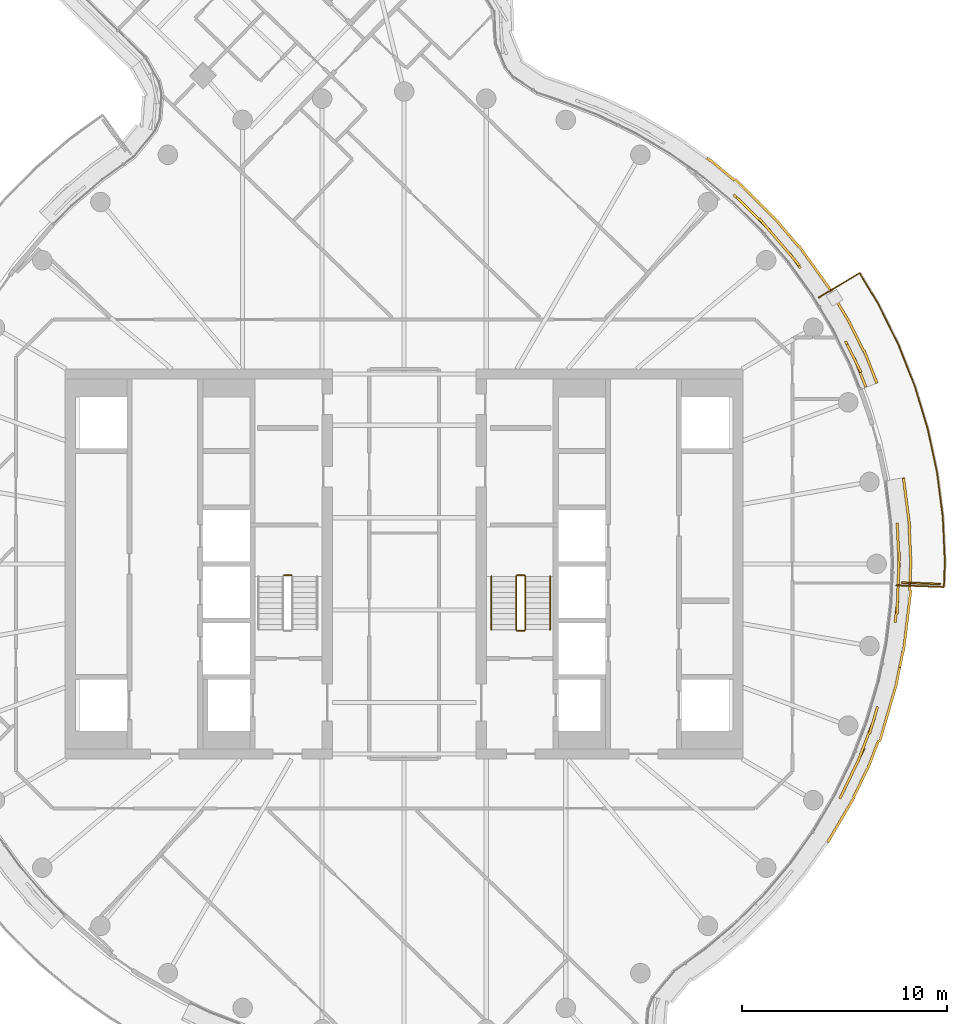
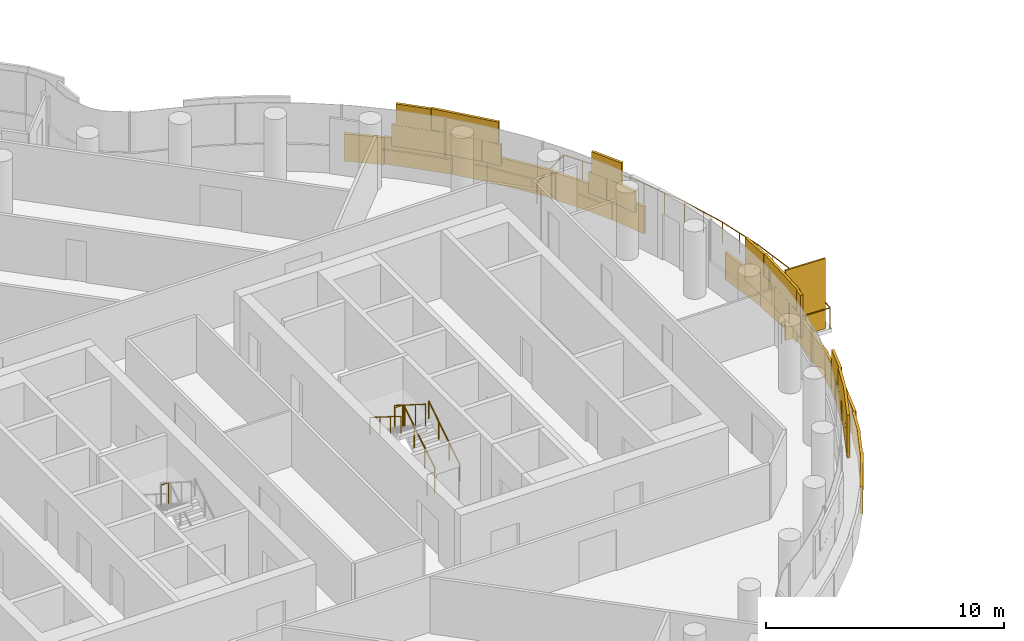
# One storey, part 28 of 31: 8 railings, 4 coverings, 1 shading device.
"""IFC4 building model written with IfcOpenShell, lengths in metres."""

from ifc_helpers import new_model, si_unit, direction, frame, origin, origin_2d, place, context, subcontext, project, spatial, rectangle, circle, extrude, material, layer, layer_set, type_object, element, save


model = new_model("IFC4")

# Units and contexts
model_context = context("Model", 3, precision=1e-05, world=origin(), true_north=direction((0.0, 1.0)))
body_context = subcontext(model_context, "Body", "Model", "MODEL_VIEW")
ifc_project = project(units=[si_unit("LENGTHUNIT", "METRE"), si_unit("AREAUNIT", "SQUARE_METRE"), si_unit("VOLUMEUNIT", "CUBIC_METRE"), si_unit("PLANEANGLEUNIT", "RADIAN"), si_unit("MASSUNIT", "GRAM", prefix="KILO")], contexts=[model_context])

# Site, building, storey
site_placement = place(None, origin())
site = spatial("IfcSite", under=ifc_project, at=site_placement, CompositionType="ELEMENT")
building_placement = place(site_placement, origin())
building = spatial("IfcBuilding", under=site, at=building_placement, Name="Tamarind Cross Interchange Tower", CompositionType="ELEMENT")
storey_placement = place(building_placement, frame((0.0, 0.0, 200.5)))
storey = spatial("IfcBuildingStorey", under=building, at=storey_placement, Name="L50", CompositionType="ELEMENT", Elevation=200.5)

# Railing
ifc_material_1 = material(Name="Stainless steel and laminated glass", Category="steel")
railing_type_1 = type_object("IfcRailingType", Name="Balcony guard", PredefinedType="BALUSTRADE", material=ifc_material_1)
railing_1_placement = place(storey_placement, frame((23.953369140625, -1.03955078125, 0.0)))
element("IfcRailing", 1, at=railing_1_placement, inside=storey, type_object=railing_type_1, Name="Balcony guard 06", PredefinedType="BALUSTRADE", context=body_context, shape_type="SweptSolid", body=[
    extrude(circle(Radius=0.02490234375, at=origin_2d()), frame((0.0, 0.0, 1.0751953125), z_axis=(0.999313680019, -0.037042798585, 0.0), x_axis=(0.037042798585, 0.999313680019, 0.0)), (0.0, 0.0, 1.0), 2.320068359375),
    extrude(circle(Radius=0.02490234375, at=origin_2d()), frame((2.318359375, -0.0859375, 1.0751953125), z_axis=(0.037026229264, 0.999314294077, 0.0), x_axis=(-0.999314294077, 0.037026229264, 0.0)), (0.0, 0.0, 1.0), 1.239501953125),
    extrude(circle(Radius=0.02490234375, at=origin_2d()), frame((2.3642578125, 1.15283203125, 1.0751953125), z_axis=(-0.045570585979, 0.998961121212, 0.0), x_axis=(-0.998961121212, -0.045570585979, 0.0)), (0.0, 0.0, 1.0), 2.175048828125),
    extrude(circle(Radius=0.02490234375, at=origin_2d()), frame((2.26513671875, 3.32568359375, 1.0751953125), z_axis=(-0.127957091824, 0.991779704699, 0.0), x_axis=(-0.991779704699, -0.127957091824, 0.0)), (0.0, 0.0, 1.0), 2.175048828125),
    extrude(circle(Radius=0.02490234375, at=origin_2d()), frame((1.98681640625, 5.48291015625, 1.0751953125), z_axis=(-0.209437106955, 0.977822119933, 0.0), x_axis=(-0.977822119933, -0.209437106955, 0.0)), (0.0, 0.0, 1.0), 2.17529296875),
    extrude(circle(Radius=0.02490234375, at=origin_2d()), frame((1.53125, 7.60986328125, 1.0751953125), z_axis=(-0.289468424656, 0.957187563191, 0.0), x_axis=(-0.957187563191, -0.289468424656, 0.0)), (0.0, 0.0, 1.0), 2.175048828125),
    extrude(circle(Radius=0.02490234375, at=origin_2d()), frame((0.901611328125, 9.69189453125, 1.0751953125), z_axis=(-0.367439931593, 0.930047255074, 0.0), x_axis=(-0.930047255074, -0.367439931593, 0.0)), (0.0, 0.0, 1.0), 2.17529296875),
    extrude(circle(Radius=0.02490234375, at=origin_2d()), frame((0.102294921875, 11.715087890625, 1.0751953125), z_axis=(-0.443123395184, 0.896460627491, 0.0), x_axis=(-0.896460627491, -0.443123395184, 0.0)), (0.0, 0.0, 1.0), 2.175048828125),
    extrude(circle(Radius=0.02490234375, at=origin_2d()), frame((-0.861572265625, 13.6650390625, 1.0751953125), z_axis=(-0.51561747702, 0.856818894161, 0.0), x_axis=(-0.856818894161, -0.51561747702, 0.0)), (0.0, 0.0, 1.0), 1.791748046875),
    extrude(circle(Radius=0.02490234375, at=origin_2d()), frame((-1.785400390625, 15.2001953125, 1.0751953125), z_axis=(-0.856851544285, -0.515563217324, 0.0), x_axis=(0.515563217324, -0.856851544285, 0.0)), (0.0, 0.0, 1.0), 2.31982421875),
    extrude(circle(Radius=0.02001953125, at=origin_2d()), origin(), (0.0, 0.0, 1.0), 1.050048828125),
    extrude(circle(Radius=0.02001953125, at=origin_2d()), frame((1.1591796875, -0.04296875, 0.0)), (0.0, 0.0, 1.0), 1.050048828125),
    extrude(circle(Radius=0.02001953125, at=origin_2d()), frame((2.318359375, -0.0859375, 0.0)), (0.0, 0.0, 1.0), 1.050048828125),
    extrude(circle(Radius=0.02001953125, at=origin_2d()), frame((2.34130859375, 0.533447265625, 0.0)), (0.0, 0.0, 1.0), 1.050048828125),
    extrude(circle(Radius=0.02001953125, at=origin_2d()), frame((2.3642578125, 1.15283203125, 0.0)), (0.0, 0.0, 1.0), 1.050048828125),
    extrude(circle(Radius=0.02001953125, at=origin_2d()), frame((2.314697265625, 2.2392578125, 0.0)), (0.0, 0.0, 1.0), 1.050048828125),
    extrude(circle(Radius=0.02001953125, at=origin_2d()), frame((2.26513671875, 3.32568359375, 0.0)), (0.0, 0.0, 1.0), 1.050048828125),
    extrude(circle(Radius=0.02001953125, at=origin_2d()), frame((2.1259765625, 4.404296875, 0.0)), (0.0, 0.0, 1.0), 1.050048828125),
    extrude(circle(Radius=0.02001953125, at=origin_2d()), frame((1.98681640625, 5.48291015625, 0.0)), (0.0, 0.0, 1.0), 1.050048828125),
    extrude(circle(Radius=0.02001953125, at=origin_2d()), frame((1.759033203125, 6.54638671875, 0.0)), (0.0, 0.0, 1.0), 1.050048828125),
    extrude(circle(Radius=0.02001953125, at=origin_2d()), frame((1.53125, 7.60986328125, 0.0)), (0.0, 0.0, 1.0), 1.050048828125),
    extrude(circle(Radius=0.02001953125, at=origin_2d()), frame((1.21630859375, 8.65087890625, 0.0)), (0.0, 0.0, 1.0), 1.050048828125),
    extrude(circle(Radius=0.02001953125, at=origin_2d()), frame((0.901611328125, 9.69189453125, 0.0)), (0.0, 0.0, 1.0), 1.050048828125),
    extrude(circle(Radius=0.02001953125, at=origin_2d()), frame((0.501953125, 10.70361328125, 0.0)), (0.0, 0.0, 1.0), 1.050048828125),
    extrude(circle(Radius=0.02001953125, at=origin_2d()), frame((0.102294921875, 11.715087890625, 0.0)), (0.0, 0.0, 1.0), 1.050048828125),
    extrude(circle(Radius=0.02001953125, at=origin_2d()), frame((-0.379638671875, 12.68994140625, 0.0)), (0.0, 0.0, 1.0), 1.050048828125),
    extrude(circle(Radius=0.02001953125, at=origin_2d()), frame((-0.861572265625, 13.6650390625, 0.0)), (0.0, 0.0, 1.0), 1.050048828125),
    extrude(circle(Radius=0.02001953125, at=origin_2d()), frame((-1.323486328125, 14.4326171875, 0.0)), (0.0, 0.0, 1.0), 1.050048828125),
    extrude(circle(Radius=0.02001953125, at=origin_2d()), frame((-1.785400390625, 15.2001953125, 0.0)), (0.0, 0.0, 1.0), 1.050048828125),
    extrude(circle(Radius=0.02001953125, at=origin_2d()), frame((-2.779296875, 14.60205078125, 0.0)), (0.0, 0.0, 1.0), 1.050048828125),
    extrude(circle(Radius=0.02001953125, at=origin_2d()), frame((-3.773193359375, 14.004150390625, 0.0)), (0.0, 0.0, 1.0), 1.050048828125),
])

# Shading device
ifc_material_2 = material(Name="Bronze-finish aluminium louvre", Category="aluminium")
ifc_layer_1 = layer(ifc_material_2, 0.080078125)
ifc_layer_set_1 = layer_set([ifc_layer_1], Name="Bronze-finish aluminium louvre")
shading_device_type = type_object("IfcShadingDeviceType", Name="Operable louvre bay", PredefinedType="JALOUSIE", material=ifc_layer_set_1)
shading_device_placement = place(storey_placement, origin())
element("IfcShadingDevice", 2, at=shading_device_placement, inside=storey, type_object=shading_device_type, Name="LVR-L50-BAL06", PredefinedType="JALOUSIE", context=body_context, shape_type="SweptSolid", body=[
    extrude(rectangle(XDim=1.89990234375, YDim=0.080078125, at=origin_2d()), frame((25.15771484375, -0.944091796875, 0.0), z_axis=(0.0, 0.0, 1.0), x_axis=(0.999314350871, -0.037024696392, 0.0)), (0.0, 0.0, 1.0), 3.60009765625),
])

# Railings
ifc_material_3 = material(Name="Stair guard")
railing_type_2 = type_object("IfcRailingType", Name="Stair guard", PredefinedType="GUARDRAIL", material=ifc_material_3)
railing_2_placement = place(storey_placement, frame((-5.5, -0.550048828125, 1.800048828125)))
element("IfcRailing", 3, at=railing_2_placement, inside=storey, type_object=railing_type_2, Name="L50 ST1 stair guard 2", PredefinedType="GUARDRAIL", context=body_context, shape_type="SweptSolid", body=[
    extrude(circle(Radius=0.02392578125, at=origin_2d()), frame((0.0, 0.0, 1.076171875), z_axis=(-1.0, 0.0, 0.0), x_axis=(0.0, -1.0, 0.0)), (0.0, 0.0, 1.0), 0.35009765625),
    extrude(circle(Radius=0.02099609375, at=origin_2d()), origin(), (0.0, 0.0, 1.0), 1.052001953125),
    extrude(circle(Radius=0.02099609375, at=origin_2d()), frame((-0.35009765625, 0.0, 0.0)), (0.0, 0.0, 1.0), 1.052001953125),
])
railing_3_placement = place(storey_placement, frame((5.89990234375, -3.199951171875, 0.16357421875)))
element("IfcRailing", 4, at=railing_3_placement, inside=storey, type_object=railing_type_2, Name="L50 ST2 stair guard 1", PredefinedType="GUARDRAIL", context=body_context, shape_type="SweptSolid", body=[
    extrude(circle(Radius=0.02392578125, at=origin_2d()), frame((0.0, 0.0, 1.076171875), z_axis=(0.0, 0.846301844409, 0.532703658848), x_axis=(-1.0, 0.0, 0.0)), (0.0, 0.0, 1.0), 3.072021484375),
    extrude(circle(Radius=0.02099609375, at=origin_2d()), origin(), (0.0, 0.0, 1.0), 1.052001953125),
    extrude(circle(Radius=0.02099609375, at=origin_2d()), frame((0.0, 0.86669921875, 0.54541015625)), (0.0, 0.0, 1.0), 1.052001953125),
    extrude(circle(Radius=0.02099609375, at=origin_2d()), frame((0.0, 1.733154296875, 1.091064453125)), (0.0, 0.0, 1.0), 1.052001953125),
    extrude(circle(Radius=0.02099609375, at=origin_2d()), frame((0.0, 2.599853515625, 1.636474609375)), (0.0, 0.0, 1.0), 1.052001953125),
])
railing_4_placement = place(storey_placement, frame((5.85009765625, -0.550048828125, 1.800048828125)))
element("IfcRailing", 5, at=railing_4_placement, inside=storey, type_object=railing_type_2, Name="L50 ST2 stair guard 2", PredefinedType="GUARDRAIL", context=body_context, shape_type="SweptSolid", body=[
    extrude(circle(Radius=0.02392578125, at=origin_2d()), frame((0.0, 0.0, 1.076171875), z_axis=(-1.0, 0.0, 0.0), x_axis=(0.0, -1.0, 0.0)), (0.0, 0.0, 1.0), 0.35009765625),
    extrude(circle(Radius=0.02099609375, at=origin_2d()), origin(), (0.0, 0.0, 1.0), 1.052001953125),
    extrude(circle(Radius=0.02099609375, at=origin_2d()), frame((-0.35009765625, 0.0, 0.0)), (0.0, 0.0, 1.0), 1.052001953125),
])
railing_5_placement = place(storey_placement, frame((5.449951171875, -0.60009765625, 1.963623046875)))
element("IfcRailing", 6, at=railing_5_placement, inside=storey, type_object=railing_type_2, Name="L50 ST2 stair guard 3", PredefinedType="GUARDRAIL", context=body_context, shape_type="SweptSolid", body=[
    extrude(circle(Radius=0.02392578125, at=origin_2d()), frame((0.0, 0.0, 1.076171875), z_axis=(0.0, -0.846301844409, 0.532703658848), x_axis=(1.0, 0.0, 0.0)), (0.0, 0.0, 1.0), 3.072021484375),
    extrude(circle(Radius=0.02099609375, at=origin_2d()), origin(), (0.0, 0.0, 1.0), 1.052001953125),
    extrude(circle(Radius=0.02099609375, at=origin_2d()), frame((0.0, -0.86669921875, 0.54541015625)), (0.0, 0.0, 1.0), 1.052001953125),
    extrude(circle(Radius=0.02099609375, at=origin_2d()), frame((0.0, -1.733154296875, 1.091064453125)), (0.0, 0.0, 1.0), 1.052001953125),
    extrude(circle(Radius=0.02099609375, at=origin_2d()), frame((0.0, -2.599853515625, 1.636474609375)), (0.0, 0.0, 1.0), 1.052001953125),
])
railing_6_placement = place(storey_placement, frame((5.85009765625, -3.25, 0.0)))
element("IfcRailing", 7, at=railing_6_placement, inside=storey, type_object=railing_type_2, Name="L50 ST2 stair guard 4", PredefinedType="GUARDRAIL", context=body_context, shape_type="SweptSolid", body=[
    extrude(circle(Radius=0.02392578125, at=origin_2d()), frame((0.0, 0.0, 1.076171875), z_axis=(-1.0, 0.0, 0.0), x_axis=(0.0, -1.0, 0.0)), (0.0, 0.0, 1.0), 0.35009765625),
    extrude(circle(Radius=0.02099609375, at=origin_2d()), origin(), (0.0, 0.0, 1.0), 1.052001953125),
    extrude(circle(Radius=0.02099609375, at=origin_2d()), frame((-0.35009765625, 0.0, 0.0)), (0.0, 0.0, 1.0), 1.052001953125),
])
ifc_material_4 = material(Name="Stair handrail")
railing_type_3 = type_object("IfcRailingType", Name="Stair handrail", PredefinedType="HANDRAIL", material=ifc_material_4)
railing_7_placement = place(storey_placement, frame((7.10009765625, -3.199951171875, 0.16357421875)))
element("IfcRailing", 8, at=railing_7_placement, inside=storey, type_object=railing_type_3, Name="L50 ST2 stair handrail 1", PredefinedType="HANDRAIL", context=body_context, shape_type="SweptSolid", body=[
    extrude(circle(Radius=0.02392578125, at=origin_2d()), frame((0.0, 0.0, 0.8759765625), z_axis=(0.0, 0.846301844409, 0.532703658848), x_axis=(-1.0, 0.0, 0.0)), (0.0, 0.0, 1.0), 3.072021484375),
    extrude(circle(Radius=0.02099609375, at=origin_2d()), origin(), (0.0, 0.0, 1.0), 0.851806640625),
    extrude(circle(Radius=0.02099609375, at=origin_2d()), frame((0.0, 0.86669921875, 0.54541015625)), (0.0, 0.0, 1.0), 0.851806640625),
    extrude(circle(Radius=0.02099609375, at=origin_2d()), frame((0.0, 1.733154296875, 1.091064453125)), (0.0, 0.0, 1.0), 0.851806640625),
    extrude(circle(Radius=0.02099609375, at=origin_2d()), frame((0.0, 2.599853515625, 1.636474609375)), (0.0, 0.0, 1.0), 0.851806640625),
])
railing_8_placement = place(storey_placement, frame((4.25, -0.60009765625, 1.963623046875)))
element("IfcRailing", 9, at=railing_8_placement, inside=storey, type_object=railing_type_3, Name="L50 ST2 stair handrail 2", PredefinedType="HANDRAIL", context=body_context, shape_type="SweptSolid", body=[
    extrude(circle(Radius=0.02392578125, at=origin_2d()), frame((0.0, 0.0, 0.8759765625), z_axis=(0.0, -0.846301844409, 0.532703658848), x_axis=(1.0, 0.0, 0.0)), (0.0, 0.0, 1.0), 3.072021484375),
    extrude(circle(Radius=0.02099609375, at=origin_2d()), origin(), (0.0, 0.0, 1.0), 0.851806640625),
    extrude(circle(Radius=0.02099609375, at=origin_2d()), frame((0.0, -0.86669921875, 0.54541015625)), (0.0, 0.0, 1.0), 0.851806640625),
    extrude(circle(Radius=0.02099609375, at=origin_2d()), frame((0.0, -1.733154296875, 1.091064453125)), (0.0, 0.0, 1.0), 0.851806640625),
    extrude(circle(Radius=0.02099609375, at=origin_2d()), frame((0.0, -2.599853515625, 1.636474609375)), (0.0, 0.0, 1.0), 0.851806640625),
])

# Coverings
ifc_material_5 = material(Name="Terracotta", Category="masonry")
ifc_layer_2 = layer(ifc_material_5, 0.1201171875)
ifc_layer_set_2 = layer_set([ifc_layer_2], Name="Terracotta")
covering_type = type_object("IfcCoveringType", Name="Terracotta baguette screen unit", PredefinedType="MOLDING", material=ifc_layer_set_2)
covering_1_placement = place(storey_placement, origin())
element("IfcCovering", 10, at=covering_1_placement, inside=storey, type_object=covering_type, Name="SCR-L50-06-01", PredefinedType="MOLDING", context=body_context, shape_type="SweptSolid", body=[
    extrude(rectangle(XDim=1.235107421875, YDim=0.1201171875, at=origin_2d()), frame((21.473876953125, -10.87255859375, 1.40380859375), z_axis=(0.0, 0.0, 1.0), x_axis=(0.435326231914, 0.900272776334, 0.0)), (0.0, 0.0, 1.0), 1.092041015625),
    extrude(rectangle(XDim=1.52001953125, YDim=0.1201171875, at=origin_2d()), frame((22.067138671875, -9.645751953125, 1.40380859375), z_axis=(0.0, 0.0, 1.0), x_axis=(0.435326231914, 0.900272776334, 0.0)), (0.0, 0.0, 1.0), 1.092041015625),
    extrude(rectangle(XDim=1.52001953125, YDim=0.1201171875, at=origin_2d()), frame((22.61181640625, -8.24853515625, 1.40380859375), z_axis=(0.0, 0.0, 1.0), x_axis=(0.359495435512, 0.933146843667, 0.0)), (0.0, 0.0, 1.0), 1.092041015625),
    extrude(rectangle(XDim=0.627685546875, YDim=0.1201171875, at=origin_2d()), frame((22.95361328125, -7.247314453125, 1.40380859375), z_axis=(0.0, 0.0, 1.0), x_axis=(0.281208920763, 0.95964657186, 0.0)), (0.0, 0.0, 1.0), 1.092041015625),
    extrude(rectangle(XDim=0.485107421875, YDim=0.1201171875, at=origin_2d()), frame((21.310546875, -11.210205078125, 2.50390625), z_axis=(0.0, 0.0, 1.0), x_axis=(0.435326231914, 0.900272776334, 0.0)), (0.0, 0.0, 1.0), 1.092041015625),
    extrude(rectangle(XDim=1.52001953125, YDim=0.1201171875, at=origin_2d()), frame((21.740478515625, -10.321044921875, 2.50390625), z_axis=(0.0, 0.0, 1.0), x_axis=(0.435326231914, 0.900272776334, 0.0)), (0.0, 0.0, 1.0), 1.092041015625),
    extrude(rectangle(XDim=1.52001953125, YDim=0.1201171875, at=origin_2d()), frame((22.34228515625, -8.948486328125, 2.50390625), z_axis=(0.0, 0.0, 1.0), x_axis=(0.359495435512, 0.933146843667, 0.0)), (0.0, 0.0, 1.0), 1.092041015625),
    extrude(rectangle(XDim=1.377685546875, YDim=0.1201171875, at=origin_2d()), frame((22.84814453125, -7.607177734375, 2.50390625), z_axis=(0.0, 0.0, 1.0), x_axis=(0.281208920763, 0.95964657186, 0.0)), (0.0, 0.0, 1.0), 1.092041015625),
    extrude(rectangle(XDim=1.05078125, YDim=0.1201171875, at=origin_2d()), frame((20.883056640625, -13.093505859375, 0.00390625), z_axis=(0.0, 0.0, 1.0), x_axis=(0.508183308752, 0.861248933065, 0.0)), (0.0, 0.0, 1.0), 1.39208984375),
    extrude(rectangle(XDim=1.52001953125, YDim=0.1201171875, at=origin_2d()), frame((21.526123046875, -12.003662109375, 0.00390625), z_axis=(0.0, 0.0, 1.0), x_axis=(0.508183308752, 0.861248933065, 0.0)), (0.0, 0.0, 1.0), 1.39208984375),
    extrude(rectangle(XDim=1.52001953125, YDim=0.1201171875, at=origin_2d()), frame((22.209716796875, -10.66943359375, 0.00390625), z_axis=(0.0, 0.0, 1.0), x_axis=(0.435326231914, 0.900272776334, 0.0)), (0.0, 0.0, 1.0), 1.39208984375),
    extrude(rectangle(XDim=1.52001953125, YDim=0.1201171875, at=origin_2d()), frame((22.8212890625, -9.30126953125, 0.00390625), z_axis=(0.0, 0.0, 1.0), x_axis=(0.359495435512, 0.933146843667, 0.0)), (0.0, 0.0, 1.0), 1.39208984375),
    extrude(rectangle(XDim=1.52001953125, YDim=0.1201171875, at=origin_2d()), frame((23.360107421875, -7.9013671875, 0.00390625), z_axis=(0.0, 0.0, 1.0), x_axis=(0.281208920763, 0.95964657186, 0.0)), (0.0, 0.0, 1.0), 1.39208984375),
    extrude(rectangle(XDim=1.52001953125, YDim=0.1201171875, at=origin_2d()), frame((23.781982421875, -6.4619140625, 0.00390625), z_axis=(0.0, 0.0, 1.0), x_axis=(0.281208920763, 0.95964657186, 0.0)), (0.0, 0.0, 1.0), 1.39208984375),
    extrude(rectangle(XDim=0.7275390625, YDim=0.1201171875, at=origin_2d()), frame((24.046630859375, -5.39111328125, 0.00390625), z_axis=(0.0, 0.0, 1.0), x_axis=(0.201001463943, 0.9795909409, 0.0)), (0.0, 0.0, 1.0), 1.39208984375),
])
covering_2_placement = place(storey_placement, origin())
element("IfcCovering", 11, at=covering_2_placement, inside=storey, type_object=covering_type, Name="SCR-L50-06-02", PredefinedType="MOLDING", context=body_context, shape_type="SweptSolid", body=[
    extrude(rectangle(XDim=1.1923828125, YDim=0.1201171875, at=origin_2d()), frame((23.967041015625, -2.260009765625, 1.40380859375), z_axis=(0.0, 0.0, 1.0), x_axis=(0.119420963295, 0.992843710523, 0.0)), (0.0, 0.0, 1.0), 1.092041015625),
    extrude(rectangle(XDim=1.52001953125, YDim=0.1201171875, at=origin_2d()), frame((24.0478515625, -0.922119140625, 1.40380859375), z_axis=(0.0, 0.0, 1.0), x_axis=(0.037024696392, 0.999314350871, 0.0)), (0.0, 0.0, 1.0), 1.092041015625),
    extrude(rectangle(XDim=1.52001953125, YDim=0.1201171875, at=origin_2d()), frame((24.064208984375, 0.57666015625, 1.40380859375), z_axis=(0.0, 0.0, 1.0), x_axis=(-0.045624486728, 0.998958660912, 0.0)), (0.0, 0.0, 1.0), 1.092041015625),
    extrude(rectangle(XDim=0.67041015625, YDim=0.1201171875, at=origin_2d()), frame((24.014892578125, 1.65576171875, 1.40380859375), z_axis=(0.0, 0.0, 1.0), x_axis=(-0.045624486728, 0.998958660912, 0.0)), (0.0, 0.0, 1.0), 1.092041015625),
    extrude(rectangle(XDim=0.4423828125, YDim=0.1201171875, at=origin_2d()), frame((23.92236328125, -2.63232421875, 2.50390625), z_axis=(0.0, 0.0, 1.0), x_axis=(0.119420963295, 0.992843710523, 0.0)), (0.0, 0.0, 1.0), 1.092041015625),
    extrude(rectangle(XDim=1.52001953125, YDim=0.1201171875, at=origin_2d()), frame((24.02001953125, -1.671630859375, 2.50390625), z_axis=(0.0, 0.0, 1.0), x_axis=(0.037024696392, 0.999314350871, 0.0)), (0.0, 0.0, 1.0), 1.092041015625),
    extrude(rectangle(XDim=1.52001953125, YDim=0.1201171875, at=origin_2d()), frame((24.07568359375, -0.172607421875, 2.50390625), z_axis=(0.0, 0.0, 1.0), x_axis=(0.037024696392, 0.999314350871, 0.0)), (0.0, 0.0, 1.0), 1.092041015625),
    extrude(rectangle(XDim=1.42041015625, YDim=0.1201171875, at=origin_2d()), frame((24.031982421875, 1.28125, 2.50390625), z_axis=(0.0, 0.0, 1.0), x_axis=(-0.045624486728, 0.998958660912, 0.0)), (0.0, 0.0, 1.0), 1.092041015625),
    extrude(rectangle(XDim=0.79248046875, YDim=0.1201171875, at=origin_2d()), frame((24.19921875, -4.646728515625, 0.00390625), z_axis=(0.0, 0.0, 1.0), x_axis=(0.201001463943, 0.9795909409, 0.0)), (0.0, 0.0, 1.0), 1.39208984375),
    extrude(rectangle(XDim=1.52001953125, YDim=0.1201171875, at=origin_2d()), frame((24.392578125, -3.528076171875, 0.00390625), z_axis=(0.0, 0.0, 1.0), x_axis=(0.119420963295, 0.992843710523, 0.0)), (0.0, 0.0, 1.0), 1.39208984375),
    extrude(rectangle(XDim=1.52001953125, YDim=0.1201171875, at=origin_2d()), frame((24.57177734375, -2.038818359375, 0.00390625), z_axis=(0.0, 0.0, 1.0), x_axis=(0.119420963295, 0.992843710523, 0.0)), (0.0, 0.0, 1.0), 1.39208984375),
    extrude(rectangle(XDim=1.52001953125, YDim=0.1201171875, at=origin_2d()), frame((24.63623046875, -0.54052734375, 0.00390625), z_axis=(0.0, 0.0, 1.0), x_axis=(0.037024696392, 0.999314350871, 0.0)), (0.0, 0.0, 1.0), 1.39208984375),
    extrude(rectangle(XDim=1.52001953125, YDim=0.1201171875, at=origin_2d()), frame((24.621337890625, 0.958251953125, 0.00390625), z_axis=(0.0, 0.0, 1.0), x_axis=(-0.045624486728, 0.998958660912, 0.0)), (0.0, 0.0, 1.0), 1.39208984375),
    extrude(rectangle(XDim=1.52001953125, YDim=0.1201171875, at=origin_2d()), frame((24.527099609375, 2.454345703125, 0.00390625), z_axis=(0.0, 0.0, 1.0), x_axis=(-0.127962008342, 0.991779070368, 0.0)), (0.0, 0.0, 1.0), 1.39208984375),
    extrude(rectangle(XDim=0.986083984375, YDim=0.1201171875, at=origin_2d()), frame((24.369140625, 3.67724609375, 0.00390625), z_axis=(0.0, 0.0, 1.0), x_axis=(-0.127962008342, 0.991779070368, 0.0)), (0.0, 0.0, 1.0), 1.39208984375),
])
covering_3_placement = place(storey_placement, origin())
element("IfcCovering", 12, at=covering_3_placement, inside=storey, type_object=covering_type, Name="SCR-L50-06-03", PredefinedType="MOLDING", context=body_context, shape_type="SweptSolid", body=[
    extrude(rectangle(XDim=1.52001953125, YDim=0.1201171875, at=origin_2d()), frame((22.19189453125, 9.32373046875, 1.40380859375), z_axis=(0.0, 0.0, 1.0), x_axis=(-0.367513773146, 0.930018078613, 0.0)), (0.0, 0.0, 1.0), 1.092041015625),
    extrude(rectangle(XDim=0.927734375, YDim=0.1201171875, at=origin_2d()), frame((21.692626953125, 10.423583984375, 1.40380859375), z_axis=(0.0, 0.0, 1.0), x_axis=(-0.443058811505, 0.896492548518, 0.0)), (0.0, 0.0, 1.0), 1.092041015625),
    extrude(rectangle(XDim=1.52001953125, YDim=0.1201171875, at=origin_2d()), frame((21.895751953125, 10.01220703125, 2.50390625), z_axis=(0.0, 0.0, 1.0), x_axis=(-0.443058811505, 0.896492548518, 0.0)), (0.0, 0.0, 1.0), 1.092041015625),
    extrude(rectangle(XDim=0.03076171875, YDim=0.1201171875, at=origin_2d()), frame((24.302734375, 4.18115234375, 0.00390625), z_axis=(0.0, 0.0, 1.0), x_axis=(-0.209425419705, 0.977824623121, 0.0)), (0.0, 0.0, 1.0), 1.39208984375),
    extrude(rectangle(XDim=0.21630859375, YDim=0.1201171875, at=origin_2d()), frame((22.9765625, 8.89990234375, 0.00390625), z_axis=(0.0, 0.0, 1.0), x_axis=(-0.367513773146, 0.930018078613, 0.0)), (0.0, 0.0, 1.0), 1.39208984375),
    extrude(rectangle(XDim=1.52001953125, YDim=0.1201171875, at=origin_2d()), frame((22.664794921875, 9.688720703125, 0.00390625), z_axis=(0.0, 0.0, 1.0), x_axis=(-0.367513773146, 0.930018078613, 0.0)), (0.0, 0.0, 1.0), 1.39208984375),
    extrude(rectangle(XDim=1.52001953125, YDim=0.1201171875, at=origin_2d()), frame((22.02587890625, 11.044921875, 0.00390625), z_axis=(0.0, 0.0, 1.0), x_axis=(-0.443058811505, 0.896492548518, 0.0)), (0.0, 0.0, 1.0), 1.39208984375),
    extrude(rectangle(XDim=1.464111328125, YDim=0.1201171875, at=origin_2d()), frame((21.330322265625, 12.3408203125, 0.00390625), z_axis=(0.0, 0.0, 1.0), x_axis=(-0.515577308909, 0.856843065292, 0.0)), (0.0, 0.0, 1.0), 1.39208984375),
])
covering_4_placement = place(storey_placement, origin())
element("IfcCovering", 13, at=covering_4_placement, inside=storey, type_object=covering_type, Name="SCR-L50-06-04", PredefinedType="MOLDING", context=body_context, shape_type="SweptSolid", body=[
    extrude(rectangle(XDim=0.892333984375, YDim=0.1201171875, at=origin_2d()), frame((19.027099609375, 14.75927734375, 1.40380859375), z_axis=(0.0, 0.0, 1.0), x_axis=(-0.584573890505, 0.811340475102, 0.0)), (0.0, 0.0, 1.0), 1.092041015625),
    extrude(rectangle(XDim=1.52001953125, YDim=0.1201171875, at=origin_2d()), frame((18.2626953125, 15.67236328125, 1.40380859375), z_axis=(0.0, 0.0, 1.0), x_axis=(-0.64957723968, 0.760295606781, 0.0)), (0.0, 0.0, 1.0), 1.092041015625),
    extrude(rectangle(XDim=1.52001953125, YDim=0.1201171875, at=origin_2d()), frame((17.254638671875, 16.781494140625, 1.40380859375), z_axis=(0.0, 0.0, 1.0), x_axis=(-0.710143317658, 0.704057148523, 0.0)), (0.0, 0.0, 1.0), 1.092041015625),
    extrude(rectangle(XDim=0.97021484375, YDim=0.1201171875, at=origin_2d()), frame((16.381103515625, 17.6474609375, 1.40380859375), z_axis=(0.0, 0.0, 1.0), x_axis=(-0.710143317658, 0.704057148523, 0.0)), (0.0, 0.0, 1.0), 1.092041015625),
    extrude(rectangle(XDim=1.52001953125, YDim=0.1201171875, at=origin_2d()), frame((18.75, 15.10205078125, 2.50390625), z_axis=(0.0, 0.0, 1.0), x_axis=(-0.64957723968, 0.760295606781, 0.0)), (0.0, 0.0, 1.0), 1.092041015625),
    extrude(rectangle(XDim=1.52001953125, YDim=0.1201171875, at=origin_2d()), frame((17.775634765625, 16.242431640625, 2.50390625), z_axis=(0.0, 0.0, 1.0), x_axis=(-0.64957723968, 0.760295606781, 0.0)), (0.0, 0.0, 1.0), 1.092041015625),
    extrude(rectangle(XDim=1.52001953125, YDim=0.1201171875, at=origin_2d()), frame((16.721923828125, 17.3095703125, 2.50390625), z_axis=(0.0, 0.0, 1.0), x_axis=(-0.710143317658, 0.704057148523, 0.0)), (0.0, 0.0, 1.0), 1.092041015625),
    extrude(rectangle(XDim=0.055908203125, YDim=0.1201171875, at=origin_2d()), frame((20.9384765625, 12.9921875, 0.00390625), z_axis=(0.0, 0.0, 1.0), x_axis=(-0.515577308909, 0.856843065292, 0.0)), (0.0, 0.0, 1.0), 1.39208984375),
    extrude(rectangle(XDim=1.52001953125, YDim=0.1201171875, at=origin_2d()), frame((20.53662109375, 13.646240234375, 0.00390625), z_axis=(0.0, 0.0, 1.0), x_axis=(-0.584573890505, 0.811340475102, 0.0)), (0.0, 0.0, 1.0), 1.39208984375),
    extrude(rectangle(XDim=1.52001953125, YDim=0.1201171875, at=origin_2d()), frame((19.659912109375, 14.86328125, 0.00390625), z_axis=(0.0, 0.0, 1.0), x_axis=(-0.584573890505, 0.811340475102, 0.0)), (0.0, 0.0, 1.0), 1.39208984375),
    extrude(rectangle(XDim=1.52001953125, YDim=0.1201171875, at=origin_2d()), frame((18.71484375, 16.02685546875, 0.00390625), z_axis=(0.0, 0.0, 1.0), x_axis=(-0.64957723968, 0.760295606781, 0.0)), (0.0, 0.0, 1.0), 1.39208984375),
    extrude(rectangle(XDim=1.52001953125, YDim=0.1201171875, at=origin_2d()), frame((17.709716796875, 17.138671875, 0.00390625), z_axis=(0.0, 0.0, 1.0), x_axis=(-0.710143317658, 0.704057148523, 0.0)), (0.0, 0.0, 1.0), 1.39208984375),
    extrude(rectangle(XDim=1.52001953125, YDim=0.1201171875, at=origin_2d()), frame((16.64453125, 18.194580078125, 0.00390625), z_axis=(0.0, 0.0, 1.0), x_axis=(-0.710143317658, 0.704057148523, 0.0)), (0.0, 0.0, 1.0), 1.39208984375),
    extrude(rectangle(XDim=1.52001953125, YDim=0.1201171875, at=origin_2d()), frame((15.497314453125, 19.160888671875, 0.00390625), z_axis=(0.0, 0.0, 1.0), x_axis=(-0.765858396687, 0.643009266048, 0.0)), (0.0, 0.0, 1.0), 1.39208984375),
    extrude(rectangle(XDim=0.222412109375, YDim=0.1201171875, at=origin_2d()), frame((14.8310546875, 19.689697265625, 0.00390625), z_axis=(0.0, 0.0, 1.0), x_axis=(-0.816341886298, 0.577568978284, 0.0)), (0.0, 0.0, 1.0), 1.39208984375),
])

save(model, "model.ifc")
